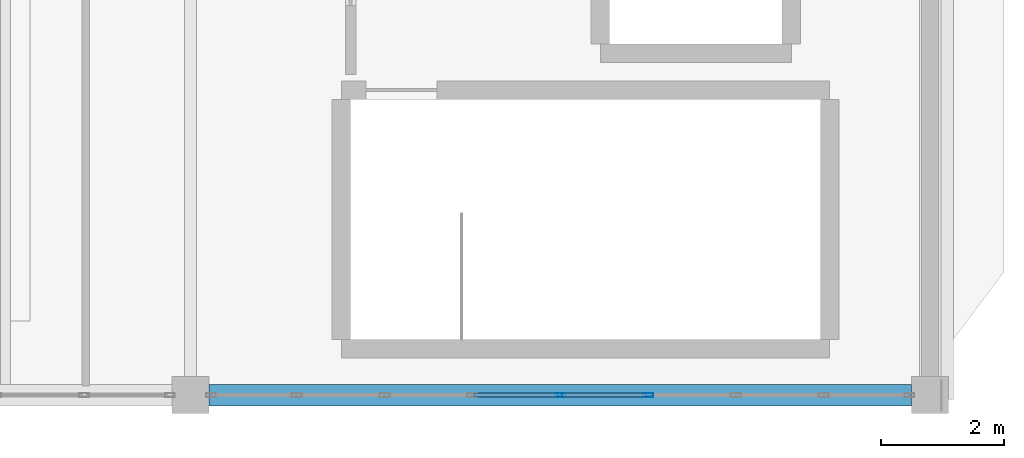
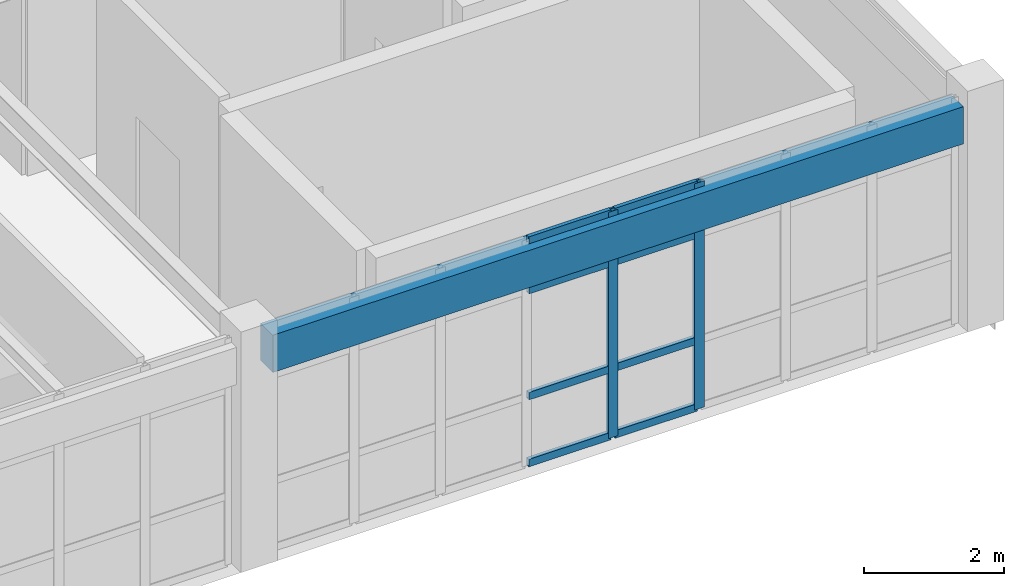
# One storey, part 6 of 28: 10 members, 1 beam, 1 element without a shape of its own.
"""IFC4 building model written with IfcOpenShell, lengths in metres."""

from ifc_helpers import new_model, si_unit, direction, frame, origin, origin_2d, place, context, subcontext, project, spatial, rectangle, hollow_rectangle, extrude, material, layer, layer_set, material_profile, profile_set, type_object, element, aggregate, save


model = new_model("IFC4")

# Units and contexts
model_context = context("Model", 3, precision=1e-05, world=origin(), true_north=direction((0.0, 1.0)))
body_context = subcontext(model_context, "Body", "Model", "MODEL_VIEW")
ifc_project = project(units=[si_unit("LENGTHUNIT", "METRE"), si_unit("AREAUNIT", "SQUARE_METRE"), si_unit("VOLUMEUNIT", "CUBIC_METRE"), si_unit("PLANEANGLEUNIT", "RADIAN"), si_unit("MASSUNIT", "GRAM", prefix="KILO")], contexts=[model_context])

# Site, building, storey
site_placement = place(None, origin())
site = spatial("IfcSite", under=ifc_project, at=site_placement, CompositionType="ELEMENT")
building_placement = place(site_placement, origin())
building = spatial("IfcBuilding", under=site, at=building_placement, Name="Pandanus Reach Market Hall", CompositionType="ELEMENT")
storey_placement = place(building_placement, frame((0.0, 0.0, 18.60009765625)))
storey = spatial("IfcBuildingStorey", under=building, at=storey_placement, Name="L04", CompositionType="ELEMENT", Elevation=18.60009765625)

# Beam
ifc_material_1 = material(Name="Concrete N40 (40 MPa)", Category="concrete")
ifc_material_profile_1 = material_profile(ifc_material_1, rectangle(XDim=0.35009765625, YDim=0.64990234375, at=origin_2d()), Name="RC350x650", Category="LoadBearing")
ifc_profile_set_1 = profile_set([ifc_material_profile_1], Name="Concrete N40 (40 MPa)")
beam_type = type_object("IfcBeamType", Name="BM-RC350-E", PredefinedType="SPANDREL", material=ifc_profile_set_1)
beam_placement = place(storey_placement, frame((168.298095703125, 28.800048828125, 3.534912109375), z_axis=(1.0, 0.0, 0.0), x_axis=(0.0, 1.0, 0.0)))
element("IfcBeam", 1, at=beam_placement, inside=storey, type_object=beam_type, Name="Framing beam BM-RC350-E L04.611", PredefinedType="SPANDREL", context=body_context, shape_type="SweptSolid", body=[
    extrude(rectangle(XDim=0.35009765625, YDim=0.64990234375, at=origin_2d()), origin(), (0.0, 0.0, 1.0), 11.40380859375),
])

# Curtain wall, members
ifc_material_2 = material(Name="Bronze anodised aluminium and low-E glass", Category="aluminium")
ifc_layer = layer(ifc_material_2, 0.159912109375, Name="CW-35")
ifc_layer_set = layer_set([ifc_layer], Name="Bronze anodised aluminium and low-E glass")
curtain_wall_type = type_object("IfcCurtainWallType", Name="CW-35", PredefinedType="NOTDEFINED", material=ifc_layer_set)
curtain_wall_placement = place(storey_placement, origin())
curtain_wall = element("IfcCurtainWall", 2, at=curtain_wall_placement, inside=storey, type_object=curtain_wall_type, Name="Glazed curtain wall CW-35 CW-0129", PredefinedType="NOTDEFINED")
ifc_material_3 = material(Name="Bronze anodised aluminium", Category="aluminium")
ifc_material_profile_2 = material_profile(ifc_material_3, hollow_rectangle(XDim=0.06494140625, YDim=0.159912109375, WallThickness=0.00390625, at=origin_2d()), Name="ALU65x160", Category="LoadBearing")
ifc_profile_set_2 = profile_set([ifc_material_profile_2], Name="Bronze anodised aluminium")
member_type_1 = type_object("IfcMemberType", Name="CW-M1", PredefinedType="MULLION", material=ifc_profile_set_2)
member_1_placement = place(storey_placement, frame((174.0, 28.800048828125, 0.0), z_axis=(0.0, 0.0, 1.0), x_axis=(0.0, 1.0, 0.0)))
member_1 = element("IfcMember", 3, at=member_1_placement, type_object=member_type_1, Name="CW-35 mullion 5", PredefinedType="MULLION", context=body_context, shape_type="SweptSolid", body=[
    extrude(hollow_rectangle(XDim=0.06494140625, YDim=0.159912109375, WallThickness=0.00390625, at=origin_2d()), origin(), (0.0, 0.0, 1.0), 3.949951171875),
])
member_2_placement = place(storey_placement, frame((175.425048828125, 28.800048828125, 0.0), z_axis=(0.0, 0.0, 1.0), x_axis=(0.0, 1.0, 0.0)))
member_2 = element("IfcMember", 4, at=member_2_placement, type_object=member_type_1, Name="CW-35 mullion 6", PredefinedType="MULLION", context=body_context, shape_type="SweptSolid", body=[
    extrude(hollow_rectangle(XDim=0.06494140625, YDim=0.159912109375, WallThickness=0.00390625, at=origin_2d()), origin(), (0.0, 0.0, 1.0), 3.949951171875),
])
ifc_material_profile_3 = material_profile(ifc_material_3, hollow_rectangle(XDim=0.06494140625, YDim=0.1298828125, WallThickness=0.00390625, at=origin_2d()), Name="ALU65x130", Category="LoadBearing")
ifc_profile_set_3 = profile_set([ifc_material_profile_3], Name="Bronze anodised aluminium")
member_type_2 = type_object("IfcMemberType", Name="CW-T1", PredefinedType="USERDEFINED", material=ifc_profile_set_3)
member_3_placement = place(storey_placement, frame((172.607421875, 28.800048828125, 0.032470703125), z_axis=(1.0, 0.0, 0.0), x_axis=(0.0, 1.0, 0.0)))
member_3 = element("IfcMember", 5, at=member_3_placement, type_object=member_type_2, Name="CW-35 transom 4.1", ObjectType="TRANSOM", PredefinedType="USERDEFINED", context=body_context, shape_type="SweptSolid", body=[
    extrude(hollow_rectangle(XDim=0.06494140625, YDim=0.1298828125, WallThickness=0.00390625, at=origin_2d()), origin(), (0.0, 0.0, 1.0), 1.360107421875),
])
member_4_placement = place(storey_placement, frame((172.607421875, 28.800048828125, 1.199951171875), z_axis=(1.0, 0.0, 0.0), x_axis=(0.0, 1.0, 0.0)))
member_4 = element("IfcMember", 6, at=member_4_placement, type_object=member_type_2, Name="CW-35 transom 4.2", ObjectType="TRANSOM", PredefinedType="USERDEFINED", context=body_context, shape_type="SweptSolid", body=[
    extrude(hollow_rectangle(XDim=0.06494140625, YDim=0.1298828125, WallThickness=0.00390625, at=origin_2d()), origin(), (0.0, 0.0, 1.0), 1.360107421875),
])
member_5_placement = place(storey_placement, frame((172.607421875, 28.800048828125, 3.0498046875), z_axis=(1.0, 0.0, 0.0), x_axis=(0.0, 1.0, 0.0)))
member_5 = element("IfcMember", 7, at=member_5_placement, type_object=member_type_2, Name="CW-35 transom 4.3", ObjectType="TRANSOM", PredefinedType="USERDEFINED", context=body_context, shape_type="SweptSolid", body=[
    extrude(hollow_rectangle(XDim=0.06494140625, YDim=0.1298828125, WallThickness=0.00390625, at=origin_2d()), origin(), (0.0, 0.0, 1.0), 1.360107421875),
])
member_6_placement = place(storey_placement, frame((172.607421875, 28.800048828125, 3.91748046875), z_axis=(1.0, 0.0, 0.0), x_axis=(0.0, 1.0, 0.0)))
member_6 = element("IfcMember", 8, at=member_6_placement, type_object=member_type_2, Name="CW-35 transom 4.4", ObjectType="TRANSOM", PredefinedType="USERDEFINED", context=body_context, shape_type="SweptSolid", body=[
    extrude(hollow_rectangle(XDim=0.06494140625, YDim=0.1298828125, WallThickness=0.00390625, at=origin_2d()), origin(), (0.0, 0.0, 1.0), 1.360107421875),
])
member_7_placement = place(storey_placement, frame((174.032470703125, 28.800048828125, 0.032470703125), z_axis=(1.0, 0.0, 0.0), x_axis=(0.0, 1.0, 0.0)))
member_7 = element("IfcMember", 9, at=member_7_placement, type_object=member_type_2, Name="CW-35 transom 5.1", ObjectType="TRANSOM", PredefinedType="USERDEFINED", context=body_context, shape_type="SweptSolid", body=[
    extrude(hollow_rectangle(XDim=0.06494140625, YDim=0.1298828125, WallThickness=0.00390625, at=origin_2d()), origin(), (0.0, 0.0, 1.0), 1.360107421875),
])
member_8_placement = place(storey_placement, frame((174.032470703125, 28.800048828125, 1.199951171875), z_axis=(1.0, 0.0, 0.0), x_axis=(0.0, 1.0, 0.0)))
member_8 = element("IfcMember", 10, at=member_8_placement, type_object=member_type_2, Name="CW-35 transom 5.2", ObjectType="TRANSOM", PredefinedType="USERDEFINED", context=body_context, shape_type="SweptSolid", body=[
    extrude(hollow_rectangle(XDim=0.06494140625, YDim=0.1298828125, WallThickness=0.00390625, at=origin_2d()), origin(), (0.0, 0.0, 1.0), 1.360107421875),
])
member_9_placement = place(storey_placement, frame((174.032470703125, 28.800048828125, 3.0498046875), z_axis=(1.0, 0.0, 0.0), x_axis=(0.0, 1.0, 0.0)))
member_9 = element("IfcMember", 11, at=member_9_placement, type_object=member_type_2, Name="CW-35 transom 5.3", ObjectType="TRANSOM", PredefinedType="USERDEFINED", context=body_context, shape_type="SweptSolid", body=[
    extrude(hollow_rectangle(XDim=0.06494140625, YDim=0.1298828125, WallThickness=0.00390625, at=origin_2d()), origin(), (0.0, 0.0, 1.0), 1.360107421875),
])
member_10_placement = place(storey_placement, frame((174.032470703125, 28.800048828125, 3.91748046875), z_axis=(1.0, 0.0, 0.0), x_axis=(0.0, 1.0, 0.0)))
member_10 = element("IfcMember", 12, at=member_10_placement, type_object=member_type_2, Name="CW-35 transom 5.4", ObjectType="TRANSOM", PredefinedType="USERDEFINED", context=body_context, shape_type="SweptSolid", body=[
    extrude(hollow_rectangle(XDim=0.06494140625, YDim=0.1298828125, WallThickness=0.00390625, at=origin_2d()), origin(), (0.0, 0.0, 1.0), 1.360107421875),
])
aggregate(curtain_wall, [member_1, member_2, member_3, member_4, member_5, member_6, member_7, member_8, member_9, member_10])

save(model, "model.ifc")
